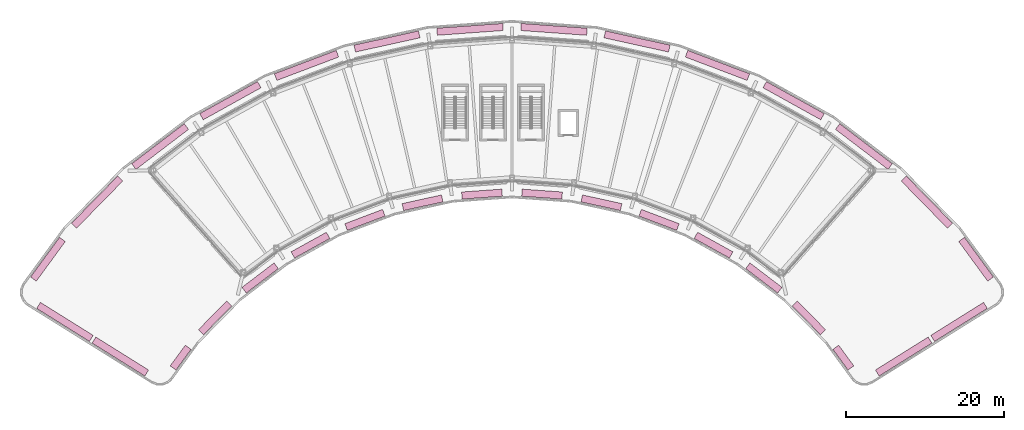
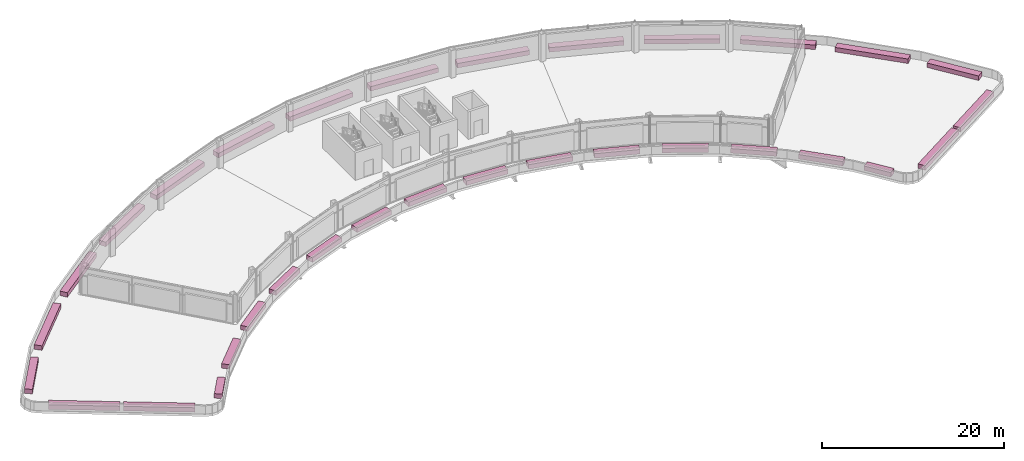
# One storey, part 17 of 17: 32 furnishings.
"""IFC4 building model written with IfcOpenShell, lengths in metres."""

from ifc_helpers import new_model, si_unit, direction, frame, origin, origin_2d, place, context, subcontext, project, spatial, rectangle, extrude, material, type_object, element, save


model = new_model("IFC4")

# Units and contexts
model_context = context("Model", 3, precision=1e-05, world=origin(), true_north=direction((0.0, 1.0)))
body_context = subcontext(model_context, "Body", "Model", "MODEL_VIEW")
ifc_project = project(units=[si_unit("LENGTHUNIT", "METRE"), si_unit("AREAUNIT", "SQUARE_METRE"), si_unit("VOLUMEUNIT", "CUBIC_METRE"), si_unit("PLANEANGLEUNIT", "RADIAN"), si_unit("MASSUNIT", "GRAM", prefix="KILO")], contexts=[model_context])

# Site, building, storey
site_placement = place(None, origin())
site = spatial("IfcSite", under=ifc_project, at=site_placement, CompositionType="ELEMENT")
building_placement = place(site_placement, origin())
building = spatial("IfcBuilding", under=site, at=building_placement, Name="Tuul Gate Civic Tower", CompositionType="ELEMENT")
storey_placement = place(building_placement, frame((0.0, 0.0, 360.10009765625)))
storey = spatial("IfcBuildingStorey", under=building, at=storey_placement, Name="Crown tier 1 lower", CompositionType="ELEMENT", Elevation=360.10009765625)

# Furnishings
ifc_material = material(Name="Planting soil")
furnishing_element_type = type_object("IfcFurnishingElementType", Name="Planter", material=ifc_material)
for number, where, z_axis, x_axis, name in (
    (1, (51.75048828125, -28.159423828125, -0.000244140625), (0.0, 0.0, 1.0), (0.848052818366, 0.529911707044, 0.0), "Planter"),
    (2, (58.767578125, -23.774658203125, -0.000244140625), (0.0, 0.0, 1.0), (0.848052818366, 0.529911707044, 0.0), "Planter"),
):
    element("IfcFurnishingElement", number, at=place(storey_placement, frame(where, z_axis=z_axis, x_axis=x_axis)), inside=storey, type_object=furnishing_element_type, Name=name, context=body_context, shape_type="SweptSolid", body=[
        extrude(rectangle(XDim=7.874267578125, YDim=0.89990234375, at=origin_2d()), origin(), (0.0, 0.0, 1.0), 0.60009765625),
    ])
furnishing_1_placement = place(storey_placement, frame((60.9169921875, -15.848876953125, -0.000244140625), z_axis=(0.0, 0.0, 1.0), x_axis=(-0.58977205357, 0.807569764681, 0.0)))
element("IfcFurnishingElement", 3, at=furnishing_1_placement, inside=storey, type_object=furnishing_element_type, Name="Planter", context=body_context, shape_type="SweptSolid", body=[
    extrude(rectangle(XDim=6.21337890625, YDim=0.89990234375, at=origin_2d()), origin(), (0.0, 0.0, 1.0), 0.60009765625),
])
furnishing_2_placement = place(storey_placement, frame((54.68408203125, -8.615478515625, -0.000244140625), z_axis=(0.0, 0.0, 1.0), x_axis=(-0.700011034438, 0.714132026775, 0.0)))
element("IfcFurnishingElement", 4, at=furnishing_2_placement, inside=storey, type_object=furnishing_element_type, Name="Planter", context=body_context, shape_type="SweptSolid", body=[
    extrude(rectangle(XDim=8.364013671875, YDim=0.89990234375, at=origin_2d()), origin(), (0.0, 0.0, 1.0), 0.60009765625),
])
furnishing_3_placement = place(storey_placement, frame((46.720947265625, -1.588134765625, -0.000244140625), z_axis=(0.0, 0.0, 1.0), x_axis=(-0.795642783888, 0.605766093841, 0.0)))
element("IfcFurnishingElement", 5, at=furnishing_3_placement, inside=storey, type_object=furnishing_element_type, Name="Planter", context=body_context, shape_type="SweptSolid", body=[
    extrude(rectangle(XDim=8.364990234375, YDim=0.89990234375, at=origin_2d()), origin(), (0.0, 0.0, 1.0), 0.60009765625),
])
furnishing_4_placement = place(storey_placement, frame((37.828125, 4.21875, -0.000244140625), z_axis=(0.0, 0.0, 1.0), x_axis=(-0.874590767753, 0.484861824607, 0.0)))
element("IfcFurnishingElement", 6, at=furnishing_4_placement, inside=storey, type_object=furnishing_element_type, Name="Planter", context=body_context, shape_type="SweptSolid", body=[
    extrude(rectangle(XDim=8.36376953125, YDim=0.89990234375, at=origin_2d()), origin(), (0.0, 0.0, 1.0), 0.60009765625),
])
furnishing_5_placement = place(storey_placement, frame((28.191650390625, 8.68310546875, -0.000244140625), z_axis=(0.0, 0.0, 1.0), x_axis=(-0.935375147422, 0.353657084737, 0.0)))
element("IfcFurnishingElement", 7, at=furnishing_5_placement, inside=storey, type_object=furnishing_element_type, Name="Planter", context=body_context, shape_type="SweptSolid", body=[
    extrude(rectangle(XDim=8.36474609375, YDim=0.89990234375, at=origin_2d()), origin(), (0.0, 0.0, 1.0), 0.60009765625),
])
furnishing_6_placement = place(storey_placement, frame((18.01171875, 11.712158203125, -0.000244140625), z_axis=(0.0, 0.0, 1.0), x_axis=(-0.976559394881, 0.21524810863, 0.0)))
element("IfcFurnishingElement", 8, at=furnishing_6_placement, inside=storey, type_object=furnishing_element_type, Name="Planter", context=body_context, shape_type="SweptSolid", body=[
    extrude(rectangle(XDim=8.3642578125, YDim=0.89990234375, at=origin_2d()), origin(), (0.0, 0.0, 1.0), 0.60009765625),
])
for number, where, z_axis, x_axis, name in (
    (9, (7.502197265625, 13.24267578125, -0.000244140625), (0.0, 0.0, 1.0), (-0.997391294668, 0.072184522724, 0.0), "Planter"),
    (10, (-3.1181640625, 13.24267578125, -0.000244140625), (0.0, 0.0, 1.0), (-0.997391294668, -0.072184522724, 0.0), "Planter"),
):
    element("IfcFurnishingElement", number, at=place(storey_placement, frame(where, z_axis=z_axis, x_axis=x_axis)), inside=storey, type_object=furnishing_element_type, Name=name, context=body_context, shape_type="SweptSolid", body=[
        extrude(rectangle(XDim=8.364013671875, YDim=0.89990234375, at=origin_2d()), origin(), (0.0, 0.0, 1.0), 0.60009765625),
    ])
furnishing_7_placement = place(storey_placement, frame((-13.627685546875, 11.712158203125, -0.000244140625), z_axis=(0.0, 0.0, 1.0), x_axis=(-0.976559394881, -0.21524810863, 0.0)))
element("IfcFurnishingElement", 11, at=furnishing_7_placement, inside=storey, type_object=furnishing_element_type, Name="Planter", context=body_context, shape_type="SweptSolid", body=[
    extrude(rectangle(XDim=8.3642578125, YDim=0.89990234375, at=origin_2d()), origin(), (0.0, 0.0, 1.0), 0.60009765625),
])
furnishing_8_placement = place(storey_placement, frame((-23.8076171875, 8.68310546875, -0.000244140625), z_axis=(0.0, 0.0, 1.0), x_axis=(-0.935375147422, -0.353657084737, 0.0)))
element("IfcFurnishingElement", 12, at=furnishing_8_placement, inside=storey, type_object=furnishing_element_type, Name="Planter", context=body_context, shape_type="SweptSolid", body=[
    extrude(rectangle(XDim=8.36474609375, YDim=0.89990234375, at=origin_2d()), origin(), (0.0, 0.0, 1.0), 0.60009765625),
])
furnishing_9_placement = place(storey_placement, frame((-33.444091796875, 4.21875, -0.000244140625), z_axis=(0.0, 0.0, 1.0), x_axis=(-0.874590767753, -0.484861824607, 0.0)))
element("IfcFurnishingElement", 13, at=furnishing_9_placement, inside=storey, type_object=furnishing_element_type, Name="Planter", context=body_context, shape_type="SweptSolid", body=[
    extrude(rectangle(XDim=8.36376953125, YDim=0.89990234375, at=origin_2d()), origin(), (0.0, 0.0, 1.0), 0.60009765625),
])
furnishing_10_placement = place(storey_placement, frame((-42.3369140625, -1.588134765625, -0.000244140625), z_axis=(0.0, 0.0, 1.0), x_axis=(-0.795642783888, -0.605766093841, 0.0)))
element("IfcFurnishingElement", 14, at=furnishing_10_placement, inside=storey, type_object=furnishing_element_type, Name="Planter", context=body_context, shape_type="SweptSolid", body=[
    extrude(rectangle(XDim=8.364990234375, YDim=0.89990234375, at=origin_2d()), origin(), (0.0, 0.0, 1.0), 0.60009765625),
])
furnishing_11_placement = place(storey_placement, frame((-50.30029296875, -8.615478515625, -0.000244140625), z_axis=(0.0, 0.0, 1.0), x_axis=(-0.700011034438, -0.714132026775, 0.0)))
element("IfcFurnishingElement", 15, at=furnishing_11_placement, inside=storey, type_object=furnishing_element_type, Name="Planter", context=body_context, shape_type="SweptSolid", body=[
    extrude(rectangle(XDim=8.364013671875, YDim=0.89990234375, at=origin_2d()), origin(), (0.0, 0.0, 1.0), 0.60009765625),
])
furnishing_12_placement = place(storey_placement, frame((-56.532958984375, -15.848876953125, -0.000244140625), z_axis=(0.0, 0.0, 1.0), x_axis=(-0.58977205357, -0.807569764681, 0.0)))
element("IfcFurnishingElement", 16, at=furnishing_12_placement, inside=storey, type_object=furnishing_element_type, Name="Planter", context=body_context, shape_type="SweptSolid", body=[
    extrude(rectangle(XDim=6.21337890625, YDim=0.89990234375, at=origin_2d()), origin(), (0.0, 0.0, 1.0), 0.60009765625),
])
for number, where, z_axis, x_axis, name in (
    (17, (-54.383544921875, -23.774658203125, -0.000244140625), (0.0, 0.0, 1.0), (0.848052818366, -0.529911707044, 0.0), "Planter"),
    (18, (-47.36669921875, -28.159423828125, -0.000244140625), (0.0, 0.0, 1.0), (0.848052818366, -0.529911707044, 0.0), "Planter"),
):
    element("IfcFurnishingElement", number, at=place(storey_placement, frame(where, z_axis=z_axis, x_axis=x_axis)), inside=storey, type_object=furnishing_element_type, Name=name, context=body_context, shape_type="SweptSolid", body=[
        extrude(rectangle(XDim=7.874267578125, YDim=0.89990234375, at=origin_2d()), origin(), (0.0, 0.0, 1.0), 0.60009765625),
    ])
furnishing_13_placement = place(storey_placement, frame((-39.740478515625, -28.293212890625, -0.000244140625), z_axis=(0.0, 0.0, 1.0), x_axis=(0.589803348113, 0.807546909198, 0.0)))
element("IfcFurnishingElement", 19, at=furnishing_13_placement, inside=storey, type_object=furnishing_element_type, Name="Planter", context=body_context, shape_type="SweptSolid", body=[
    extrude(rectangle(XDim=3.244140625, YDim=0.89990234375, at=origin_2d()), origin(), (0.0, 0.0, 1.0), 0.60009765625),
])
furnishing_14_placement = place(storey_placement, frame((-35.374755859375, -23.24609375, -0.000244140625), z_axis=(0.0, 0.0, 1.0), x_axis=(0.699942176008, 0.714199517113, 0.0)))
element("IfcFurnishingElement", 20, at=furnishing_14_placement, inside=storey, type_object=furnishing_element_type, Name="Planter", context=body_context, shape_type="SweptSolid", body=[
    extrude(rectangle(XDim=5.10498046875, YDim=0.89990234375, at=origin_2d()), origin(), (0.0, 0.0, 1.0), 0.60009765625),
])
furnishing_15_placement = place(storey_placement, frame((-29.676025390625, -18.216552734375, -0.000244140625), z_axis=(0.0, 0.0, 1.0), x_axis=(0.79564579074, 0.605762144474, 0.0)))
element("IfcFurnishingElement", 21, at=furnishing_15_placement, inside=storey, type_object=furnishing_element_type, Name="Planter", context=body_context, shape_type="SweptSolid", body=[
    extrude(rectangle(XDim=5.1044921875, YDim=0.89990234375, at=origin_2d()), origin(), (0.0, 0.0, 1.0), 0.60009765625),
])
furnishing_16_placement = place(storey_placement, frame((-23.311767578125, -14.061279296875, -0.000244140625), z_axis=(0.0, 0.0, 1.0), x_axis=(0.874647086822, 0.484760222702, 0.0)))
element("IfcFurnishingElement", 22, at=furnishing_16_placement, inside=storey, type_object=furnishing_element_type, Name="Planter", context=body_context, shape_type="SweptSolid", body=[
    extrude(rectangle(XDim=5.104736328125, YDim=0.89990234375, at=origin_2d()), origin(), (0.0, 0.0, 1.0), 0.60009765625),
])
furnishing_17_placement = place(storey_placement, frame((-16.4150390625, -10.8662109375, -0.000244140625), z_axis=(0.0, 0.0, 1.0), x_axis=(0.935339882985, 0.353750340351, 0.0)))
element("IfcFurnishingElement", 23, at=furnishing_17_placement, inside=storey, type_object=furnishing_element_type, Name="Planter", context=body_context, shape_type="SweptSolid", body=[
    extrude(rectangle(XDim=5.105224609375, YDim=0.89990234375, at=origin_2d()), origin(), (0.0, 0.0, 1.0), 0.60009765625),
])
furnishing_18_placement = place(storey_placement, frame((-9.129638671875, -8.6982421875, -0.000244140625), z_axis=(0.0, 0.0, 1.0), x_axis=(0.976571151758, 0.21519476191, 0.0)))
element("IfcFurnishingElement", 24, at=furnishing_18_placement, inside=storey, type_object=furnishing_element_type, Name="Planter", context=body_context, shape_type="SweptSolid", body=[
    extrude(rectangle(XDim=5.104736328125, YDim=0.89990234375, at=origin_2d()), origin(), (0.0, 0.0, 1.0), 0.60009765625),
])
for number, where, z_axis, x_axis, name in (
    (25, (-1.6083984375, -7.60302734375, -0.000244140625), (0.0, 0.0, 1.0), (0.997388553299, 0.072222390908, 0.0), "Planter"),
    (26, (5.9921875, -7.60302734375, -0.000244140625), (0.0, 0.0, 1.0), (0.997388553299, -0.072222390908, 0.0), "Planter"),
):
    element("IfcFurnishingElement", number, at=place(storey_placement, frame(where, z_axis=z_axis, x_axis=x_axis)), inside=storey, type_object=furnishing_element_type, Name=name, context=body_context, shape_type="SweptSolid", body=[
        extrude(rectangle(XDim=5.1044921875, YDim=0.89990234375, at=origin_2d()), origin(), (0.0, 0.0, 1.0), 0.60009765625),
    ])
furnishing_19_placement = place(storey_placement, frame((13.513671875, -8.6982421875, -0.000244140625), z_axis=(0.0, 0.0, 1.0), x_axis=(0.976571151758, -0.21519476191, 0.0)))
element("IfcFurnishingElement", 27, at=furnishing_19_placement, inside=storey, type_object=furnishing_element_type, Name="Planter", context=body_context, shape_type="SweptSolid", body=[
    extrude(rectangle(XDim=5.104736328125, YDim=0.89990234375, at=origin_2d()), origin(), (0.0, 0.0, 1.0), 0.60009765625),
])
furnishing_20_placement = place(storey_placement, frame((20.799072265625, -10.8662109375, -0.000244140625), z_axis=(0.0, 0.0, 1.0), x_axis=(0.935339882985, -0.353750340351, 0.0)))
element("IfcFurnishingElement", 28, at=furnishing_20_placement, inside=storey, type_object=furnishing_element_type, Name="Planter", context=body_context, shape_type="SweptSolid", body=[
    extrude(rectangle(XDim=5.105224609375, YDim=0.89990234375, at=origin_2d()), origin(), (0.0, 0.0, 1.0), 0.60009765625),
])
furnishing_21_placement = place(storey_placement, frame((27.69580078125, -14.061279296875, -0.000244140625), z_axis=(0.0, 0.0, 1.0), x_axis=(0.874647086822, -0.484760222702, 0.0)))
element("IfcFurnishingElement", 29, at=furnishing_21_placement, inside=storey, type_object=furnishing_element_type, Name="Planter", context=body_context, shape_type="SweptSolid", body=[
    extrude(rectangle(XDim=5.104736328125, YDim=0.89990234375, at=origin_2d()), origin(), (0.0, 0.0, 1.0), 0.60009765625),
])
furnishing_22_placement = place(storey_placement, frame((34.06005859375, -18.216552734375, -0.000244140625), z_axis=(0.0, 0.0, 1.0), x_axis=(0.79564579074, -0.605762144474, 0.0)))
element("IfcFurnishingElement", 30, at=furnishing_22_placement, inside=storey, type_object=furnishing_element_type, Name="Planter", context=body_context, shape_type="SweptSolid", body=[
    extrude(rectangle(XDim=5.1044921875, YDim=0.89990234375, at=origin_2d()), origin(), (0.0, 0.0, 1.0), 0.60009765625),
])
furnishing_23_placement = place(storey_placement, frame((39.7587890625, -23.24609375, -0.000244140625), z_axis=(0.0, 0.0, 1.0), x_axis=(0.699942176008, -0.714199517113, 0.0)))
element("IfcFurnishingElement", 31, at=furnishing_23_placement, inside=storey, type_object=furnishing_element_type, Name="Planter", context=body_context, shape_type="SweptSolid", body=[
    extrude(rectangle(XDim=5.10498046875, YDim=0.89990234375, at=origin_2d()), origin(), (0.0, 0.0, 1.0), 0.60009765625),
])
furnishing_24_placement = place(storey_placement, frame((44.12451171875, -28.293212890625, -0.000244140625), z_axis=(0.0, 0.0, 1.0), x_axis=(0.589803348113, -0.807546909198, 0.0)))
element("IfcFurnishingElement", 32, at=furnishing_24_placement, inside=storey, type_object=furnishing_element_type, Name="Planter", context=body_context, shape_type="SweptSolid", body=[
    extrude(rectangle(XDim=3.244140625, YDim=0.89990234375, at=origin_2d()), origin(), (0.0, 0.0, 1.0), 0.60009765625),
])

save(model, "model.ifc")
